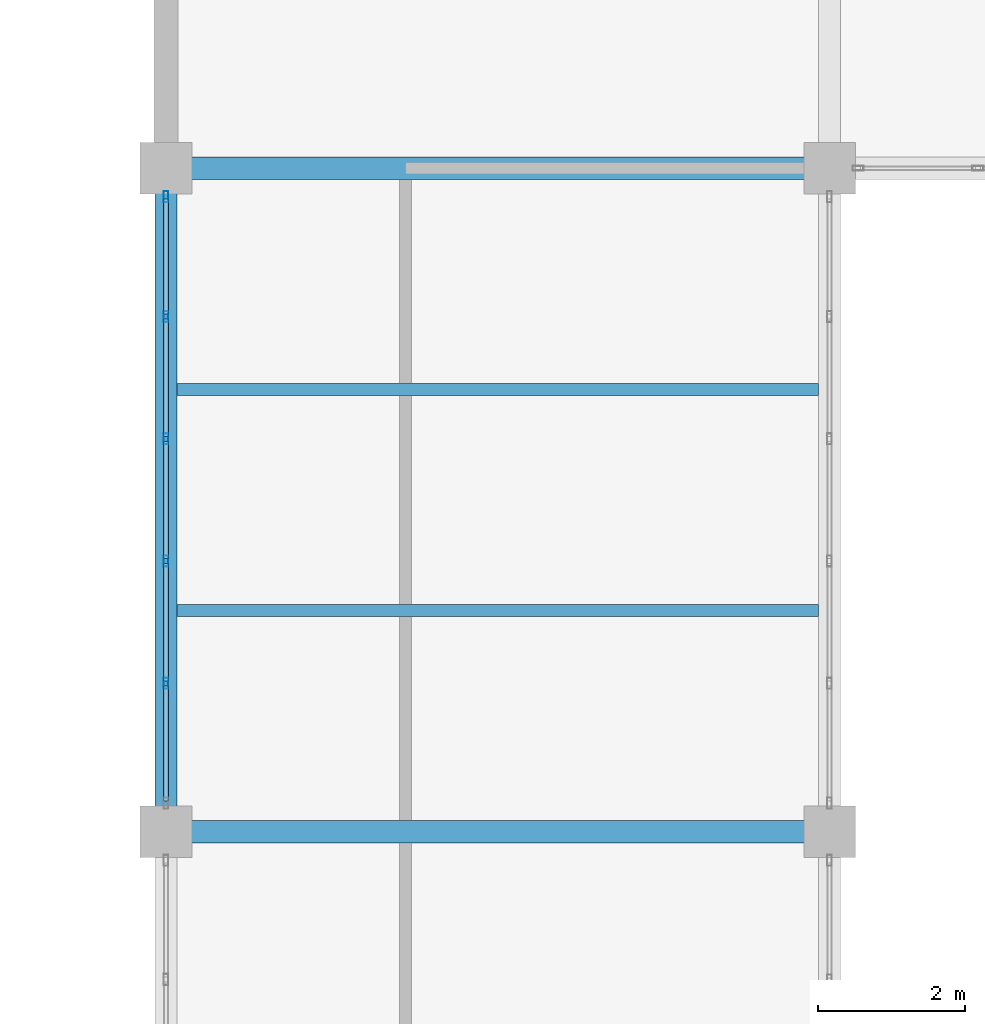
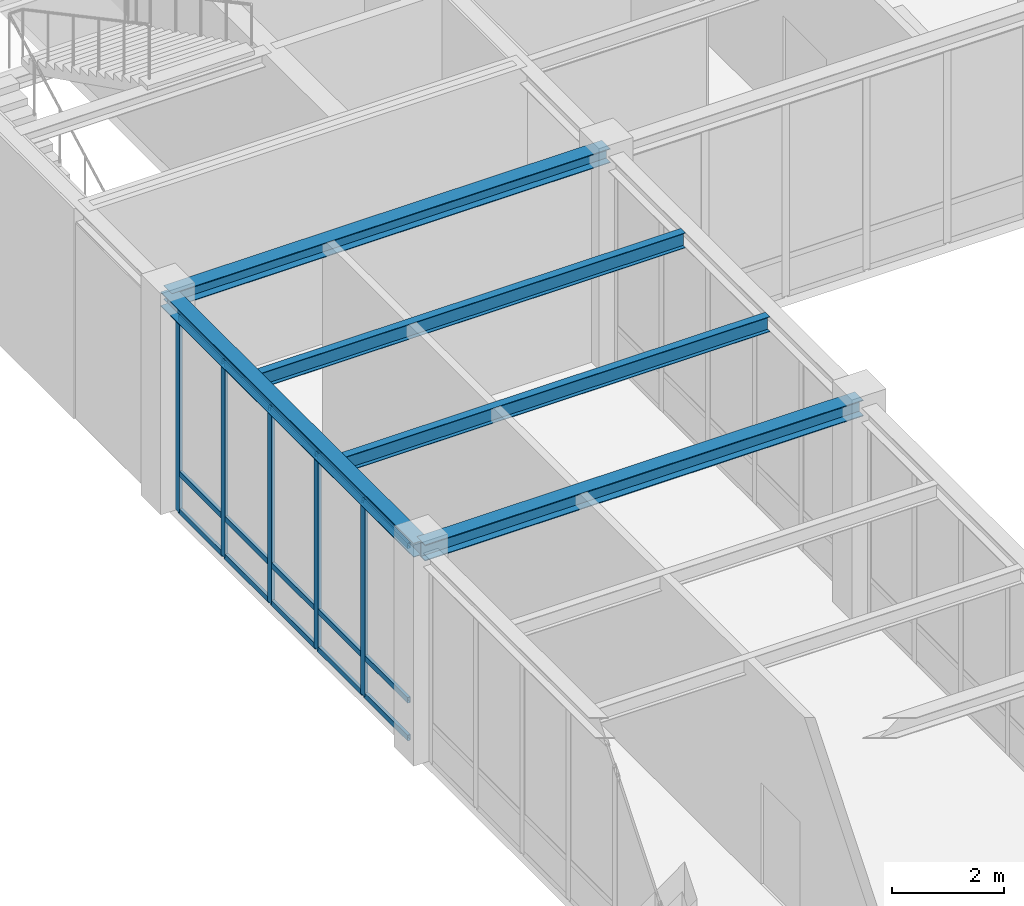
# One storey, part 22 of 98: 20 members, 5 beams, 1 element without a shape of its own.
"""IFC4 building model written with IfcOpenShell, lengths in metres."""

from ifc_helpers import new_model, si_unit, direction, frame, origin, origin_2d, place, context, subcontext, project, spatial, hollow_rectangle, i_section, extrude, material, material_profile, profile_set, type_object, element, aggregate, save


model = new_model("IFC4")

# Units and contexts
model_context = context("Model", 3, precision=1e-05, world=origin(), true_north=direction((0.0, 1.0)))
body_context = subcontext(model_context, "Body", "Model", "MODEL_VIEW")
ifc_project = project(units=[si_unit("LENGTHUNIT", "METRE"), si_unit("AREAUNIT", "SQUARE_METRE"), si_unit("VOLUMEUNIT", "CUBIC_METRE"), si_unit("PLANEANGLEUNIT", "RADIAN"), si_unit("MASSUNIT", "GRAM", prefix="KILO")], contexts=[model_context])

# Site, building, storey
site_placement = place(None, origin())
site = spatial("IfcSite", under=ifc_project, at=site_placement, CompositionType="ELEMENT")
building_placement = place(site_placement, origin())
building = spatial("IfcBuilding", under=site, at=building_placement, Name="Lykobir Media Centre", CompositionType="ELEMENT")
storey_placement = place(building_placement, frame((0.0, 0.0, 10.199951171875)))
storey = spatial("IfcBuildingStorey", under=building, at=storey_placement, Name="L02", CompositionType="ELEMENT", Elevation=10.199951171875)

# Beam
ifc_material_1 = material(Name="Steel S355", Category="steel")
ifc_material_profile_1 = material_profile(ifc_material_1, i_section(OverallWidth=0.300048828125, OverallDepth=0.35009765625, WebThickness=0.010009765625, FlangeThickness=0.017578125, at=origin_2d()), Name="HEA 360")
ifc_profile_set_1 = profile_set([ifc_material_profile_1], Name="Steel S355")
beam_type_1 = type_object("IfcBeamType", Name="BM-HEA360", PredefinedType="BEAM", material=ifc_profile_set_1)
beam_placement = place(storey_placement, frame((27.0, 54.0, 4.385009765625), z_axis=(1.0, 0.0, 0.0), x_axis=(0.0, 1.0, 0.0)))
element("IfcBeam", 1, at=beam_placement, inside=storey, type_object=beam_type_1, Name="Beam BM-L02-0270-0540-0360-0540-1458", PredefinedType="BEAM", context=body_context, shape_type="SweptSolid", body=[
    extrude(i_section(OverallWidth=0.300048828125, OverallDepth=0.35009765625, WebThickness=0.010009765625, FlangeThickness=0.017578125, at=origin_2d()), origin(), (0.0, 0.0, 1.0), 9.0),
])

# Curtain wall, members
ifc_material_2 = material(Name="Anodized Aluminium AW-6060", Category="aluminium")
curtain_wall_type = type_object("IfcCurtainWallType", Name="CW-COURT-A", PredefinedType="NOTDEFINED", material=ifc_material_2)
curtain_wall_placement = place(storey_placement, origin())
curtain_wall = element("IfcCurtainWall", 2, at=curtain_wall_placement, inside=storey, type_object=curtain_wall_type, Name="Curtain wall CW2-L02-0098", PredefinedType="NOTDEFINED")
ifc_material_profile_2 = material_profile(ifc_material_2, hollow_rectangle(XDim=0.06494140625, YDim=0.14990234375, WallThickness=0.00341796875, at=origin_2d()), Name="ALU MULLION 65x150")
ifc_profile_set_2 = profile_set([ifc_material_profile_2], Name="Anodized Aluminium AW-6060")
member_type_1 = type_object("IfcMemberType", Name="CWM-150", PredefinedType="MULLION", material=ifc_profile_set_2)
member_1_placement = place(storey_placement, frame((27.0, 56.012939453125, 0.0), z_axis=(0.0, 0.0, 1.0), x_axis=(-1.0, 0.0, 0.0)))
member_1 = element("IfcMember", 3, at=member_1_placement, type_object=member_type_1, Name="CW2-L02-0098 mullion 2", PredefinedType="MULLION", context=body_context, shape_type="SweptSolid", body=[
    extrude(hollow_rectangle(XDim=0.06494140625, YDim=0.14990234375, WallThickness=0.00341796875, at=origin_2d()), origin(), (0.0, 0.0, 1.0), 4.235107421875),
])
member_2_placement = place(storey_placement, frame((27.0, 57.6708984375, 0.0), z_axis=(0.0, 0.0, 1.0), x_axis=(-1.0, 0.0, 0.0)))
member_2 = element("IfcMember", 4, at=member_2_placement, type_object=member_type_1, Name="CW2-L02-0098 mullion 3", PredefinedType="MULLION", context=body_context, shape_type="SweptSolid", body=[
    extrude(hollow_rectangle(XDim=0.06494140625, YDim=0.14990234375, WallThickness=0.00341796875, at=origin_2d()), origin(), (0.0, 0.0, 1.0), 4.235107421875),
])
member_3_placement = place(storey_placement, frame((27.0, 59.3291015625, 0.0), z_axis=(0.0, 0.0, 1.0), x_axis=(-1.0, 0.0, 0.0)))
member_3 = element("IfcMember", 5, at=member_3_placement, type_object=member_type_1, Name="CW2-L02-0098 mullion 4", PredefinedType="MULLION", context=body_context, shape_type="SweptSolid", body=[
    extrude(hollow_rectangle(XDim=0.06494140625, YDim=0.14990234375, WallThickness=0.00341796875, at=origin_2d()), origin(), (0.0, 0.0, 1.0), 4.235107421875),
])
member_4_placement = place(storey_placement, frame((27.0, 60.987060546875, 0.0), z_axis=(0.0, 0.0, 1.0), x_axis=(-1.0, 0.0, 0.0)))
member_4 = element("IfcMember", 6, at=member_4_placement, type_object=member_type_1, Name="CW2-L02-0098 mullion 5", PredefinedType="MULLION", context=body_context, shape_type="SweptSolid", body=[
    extrude(hollow_rectangle(XDim=0.06494140625, YDim=0.14990234375, WallThickness=0.00341796875, at=origin_2d()), origin(), (0.0, 0.0, 1.0), 4.235107421875),
])
member_5_placement = place(storey_placement, frame((27.0, 62.612548828125, 0.0), z_axis=(0.0, 0.0, 1.0), x_axis=(-1.0, 0.0, 0.0)))
member_5 = element("IfcMember", 7, at=member_5_placement, type_object=member_type_1, Name="CW2-L02-0098 mullion 6", PredefinedType="MULLION", context=body_context, shape_type="SweptSolid", body=[
    extrude(hollow_rectangle(XDim=0.06494140625, YDim=0.14990234375, WallThickness=0.00341796875, at=origin_2d()), origin(), (0.0, 0.0, 1.0), 4.235107421875),
])
ifc_material_profile_3 = material_profile(ifc_material_2, hollow_rectangle(XDim=0.06494140625, YDim=0.1201171875, WallThickness=0.0029296875, at=origin_2d()), Name="ALU TRANSOM 65x120")
ifc_profile_set_3 = profile_set([ifc_material_profile_3], Name="Anodized Aluminium AW-6060")
member_type_2 = type_object("IfcMemberType", Name="CWT-120", PredefinedType="USERDEFINED", material=ifc_profile_set_3)
member_6_placement = place(storey_placement, frame((27.0, 54.419921875, 0.032470703125), z_axis=(0.0, 1.0, 0.0), x_axis=(-1.0, 0.0, 0.0)))
member_6 = element("IfcMember", 8, at=member_6_placement, type_object=member_type_2, Name="CW2-L02-0098 transom 1.1", ObjectType="TRANSOM", PredefinedType="USERDEFINED", context=body_context, shape_type="SweptSolid", body=[
    extrude(hollow_rectangle(XDim=0.06494140625, YDim=0.1201171875, WallThickness=0.0029296875, at=origin_2d()), origin(), (0.0, 0.0, 1.0), 1.560546875),
])
member_7_placement = place(storey_placement, frame((27.0, 54.419921875, 0.85009765625), z_axis=(0.0, 1.0, 0.0), x_axis=(-1.0, 0.0, 0.0)))
member_7 = element("IfcMember", 9, at=member_7_placement, type_object=member_type_2, Name="CW2-L02-0098 transom 1.2", ObjectType="TRANSOM", PredefinedType="USERDEFINED", context=body_context, shape_type="SweptSolid", body=[
    extrude(hollow_rectangle(XDim=0.06494140625, YDim=0.1201171875, WallThickness=0.0029296875, at=origin_2d()), origin(), (0.0, 0.0, 1.0), 1.560546875),
])
member_8_placement = place(storey_placement, frame((27.0, 54.419921875, 4.20263671875), z_axis=(0.0, 1.0, 0.0), x_axis=(-1.0, 0.0, 0.0)))
member_8 = element("IfcMember", 10, at=member_8_placement, type_object=member_type_2, Name="CW2-L02-0098 transom 1.3", ObjectType="TRANSOM", PredefinedType="USERDEFINED", context=body_context, shape_type="SweptSolid", body=[
    extrude(hollow_rectangle(XDim=0.06494140625, YDim=0.1201171875, WallThickness=0.0029296875, at=origin_2d()), origin(), (0.0, 0.0, 1.0), 1.560546875),
])
member_9_placement = place(storey_placement, frame((27.0, 56.04541015625, 0.032470703125), z_axis=(0.0, 1.0, 0.0), x_axis=(-1.0, 0.0, 0.0)))
member_9 = element("IfcMember", 11, at=member_9_placement, type_object=member_type_2, Name="CW2-L02-0098 transom 2.1", ObjectType="TRANSOM", PredefinedType="USERDEFINED", context=body_context, shape_type="SweptSolid", body=[
    extrude(hollow_rectangle(XDim=0.06494140625, YDim=0.1201171875, WallThickness=0.0029296875, at=origin_2d()), origin(), (0.0, 0.0, 1.0), 1.593017578125),
])
member_10_placement = place(storey_placement, frame((27.0, 56.04541015625, 0.85009765625), z_axis=(0.0, 1.0, 0.0), x_axis=(-1.0, 0.0, 0.0)))
member_10 = element("IfcMember", 12, at=member_10_placement, type_object=member_type_2, Name="CW2-L02-0098 transom 2.2", ObjectType="TRANSOM", PredefinedType="USERDEFINED", context=body_context, shape_type="SweptSolid", body=[
    extrude(hollow_rectangle(XDim=0.06494140625, YDim=0.1201171875, WallThickness=0.0029296875, at=origin_2d()), origin(), (0.0, 0.0, 1.0), 1.593017578125),
])
member_11_placement = place(storey_placement, frame((27.0, 56.04541015625, 4.20263671875), z_axis=(0.0, 1.0, 0.0), x_axis=(-1.0, 0.0, 0.0)))
member_11 = element("IfcMember", 13, at=member_11_placement, type_object=member_type_2, Name="CW2-L02-0098 transom 2.3", ObjectType="TRANSOM", PredefinedType="USERDEFINED", context=body_context, shape_type="SweptSolid", body=[
    extrude(hollow_rectangle(XDim=0.06494140625, YDim=0.1201171875, WallThickness=0.0029296875, at=origin_2d()), origin(), (0.0, 0.0, 1.0), 1.593017578125),
])
member_12_placement = place(storey_placement, frame((27.0, 57.70361328125, 0.032470703125), z_axis=(0.0, 1.0, 0.0), x_axis=(-1.0, 0.0, 0.0)))
member_12 = element("IfcMember", 14, at=member_12_placement, type_object=member_type_2, Name="CW2-L02-0098 transom 3.1", ObjectType="TRANSOM", PredefinedType="USERDEFINED", context=body_context, shape_type="SweptSolid", body=[
    extrude(hollow_rectangle(XDim=0.06494140625, YDim=0.1201171875, WallThickness=0.0029296875, at=origin_2d()), origin(), (0.0, 0.0, 1.0), 1.5927734375),
])
member_13_placement = place(storey_placement, frame((27.0, 57.70361328125, 0.85009765625), z_axis=(0.0, 1.0, 0.0), x_axis=(-1.0, 0.0, 0.0)))
member_13 = element("IfcMember", 15, at=member_13_placement, type_object=member_type_2, Name="CW2-L02-0098 transom 3.2", ObjectType="TRANSOM", PredefinedType="USERDEFINED", context=body_context, shape_type="SweptSolid", body=[
    extrude(hollow_rectangle(XDim=0.06494140625, YDim=0.1201171875, WallThickness=0.0029296875, at=origin_2d()), origin(), (0.0, 0.0, 1.0), 1.5927734375),
])
member_14_placement = place(storey_placement, frame((27.0, 57.70361328125, 4.20263671875), z_axis=(0.0, 1.0, 0.0), x_axis=(-1.0, 0.0, 0.0)))
member_14 = element("IfcMember", 16, at=member_14_placement, type_object=member_type_2, Name="CW2-L02-0098 transom 3.3", ObjectType="TRANSOM", PredefinedType="USERDEFINED", context=body_context, shape_type="SweptSolid", body=[
    extrude(hollow_rectangle(XDim=0.06494140625, YDim=0.1201171875, WallThickness=0.0029296875, at=origin_2d()), origin(), (0.0, 0.0, 1.0), 1.5927734375),
])
member_15_placement = place(storey_placement, frame((27.0, 59.361572265625, 0.032470703125), z_axis=(0.0, 1.0, 0.0), x_axis=(-1.0, 0.0, 0.0)))
member_15 = element("IfcMember", 17, at=member_15_placement, type_object=member_type_2, Name="CW2-L02-0098 transom 4.1", ObjectType="TRANSOM", PredefinedType="USERDEFINED", context=body_context, shape_type="SweptSolid", body=[
    extrude(hollow_rectangle(XDim=0.06494140625, YDim=0.1201171875, WallThickness=0.0029296875, at=origin_2d()), origin(), (0.0, 0.0, 1.0), 1.593017578125),
])
member_16_placement = place(storey_placement, frame((27.0, 59.361572265625, 0.85009765625), z_axis=(0.0, 1.0, 0.0), x_axis=(-1.0, 0.0, 0.0)))
member_16 = element("IfcMember", 18, at=member_16_placement, type_object=member_type_2, Name="CW2-L02-0098 transom 4.2", ObjectType="TRANSOM", PredefinedType="USERDEFINED", context=body_context, shape_type="SweptSolid", body=[
    extrude(hollow_rectangle(XDim=0.06494140625, YDim=0.1201171875, WallThickness=0.0029296875, at=origin_2d()), origin(), (0.0, 0.0, 1.0), 1.593017578125),
])
member_17_placement = place(storey_placement, frame((27.0, 59.361572265625, 4.20263671875), z_axis=(0.0, 1.0, 0.0), x_axis=(-1.0, 0.0, 0.0)))
member_17 = element("IfcMember", 19, at=member_17_placement, type_object=member_type_2, Name="CW2-L02-0098 transom 4.3", ObjectType="TRANSOM", PredefinedType="USERDEFINED", context=body_context, shape_type="SweptSolid", body=[
    extrude(hollow_rectangle(XDim=0.06494140625, YDim=0.1201171875, WallThickness=0.0029296875, at=origin_2d()), origin(), (0.0, 0.0, 1.0), 1.593017578125),
])
member_18_placement = place(storey_placement, frame((27.0, 61.01953125, 0.032470703125), z_axis=(0.0, 1.0, 0.0), x_axis=(-1.0, 0.0, 0.0)))
member_18 = element("IfcMember", 20, at=member_18_placement, type_object=member_type_2, Name="CW2-L02-0098 transom 5.1", ObjectType="TRANSOM", PredefinedType="USERDEFINED", context=body_context, shape_type="SweptSolid", body=[
    extrude(hollow_rectangle(XDim=0.06494140625, YDim=0.1201171875, WallThickness=0.0029296875, at=origin_2d()), origin(), (0.0, 0.0, 1.0), 1.560546875),
])
member_19_placement = place(storey_placement, frame((27.0, 61.01953125, 0.85009765625), z_axis=(0.0, 1.0, 0.0), x_axis=(-1.0, 0.0, 0.0)))
member_19 = element("IfcMember", 21, at=member_19_placement, type_object=member_type_2, Name="CW2-L02-0098 transom 5.2", ObjectType="TRANSOM", PredefinedType="USERDEFINED", context=body_context, shape_type="SweptSolid", body=[
    extrude(hollow_rectangle(XDim=0.06494140625, YDim=0.1201171875, WallThickness=0.0029296875, at=origin_2d()), origin(), (0.0, 0.0, 1.0), 1.560546875),
])
member_20_placement = place(storey_placement, frame((27.0, 61.01953125, 4.20263671875), z_axis=(0.0, 1.0, 0.0), x_axis=(-1.0, 0.0, 0.0)))
member_20 = element("IfcMember", 22, at=member_20_placement, type_object=member_type_2, Name="CW2-L02-0098 transom 5.3", ObjectType="TRANSOM", PredefinedType="USERDEFINED", context=body_context, shape_type="SweptSolid", body=[
    extrude(hollow_rectangle(XDim=0.06494140625, YDim=0.1201171875, WallThickness=0.0029296875, at=origin_2d()), origin(), (0.0, 0.0, 1.0), 1.560546875),
])
aggregate(curtain_wall, [member_1, member_2, member_3, member_4, member_5, member_6, member_7, member_8, member_9, member_10, member_11, member_12, member_13, member_14, member_15, member_16, member_17, member_18, member_19, member_20])

# Beams
ifc_material_profile_4 = material_profile(ifc_material_1, i_section(OverallWidth=0.159912109375, OverallDepth=0.330078125, WebThickness=0.007568359375, FlangeThickness=0.011474609375, at=origin_2d()), Name="IPE 330")
ifc_profile_set_4 = profile_set([ifc_material_profile_4], Name="Steel S355")
beam_type_2 = type_object("IfcBeamType", Name="JS-IPE330", PredefinedType="JOIST", material=ifc_profile_set_4)
for number, where, z_axis, x_axis, name in (
    (23, (27.14990234375, 57.0, 4.39501953125), (1.0, 0.0, 0.0), (0.0, 1.0, 0.0), "Beam BM-L02-0272-0570-0358-0570-1460"),
    (24, (27.14990234375, 60.0, 4.39501953125), (1.0, 0.0, 0.0), (0.0, 1.0, 0.0), "Beam BM-L02-0272-0600-0358-0600-1460"),
):
    element("IfcBeam", number, at=place(storey_placement, frame(where, z_axis=z_axis, x_axis=x_axis)), inside=storey, type_object=beam_type_2, Name=name, PredefinedType="JOIST", context=body_context, shape_type="SweptSolid", body=[
        extrude(i_section(OverallWidth=0.159912109375, OverallDepth=0.330078125, WebThickness=0.007568359375, FlangeThickness=0.011474609375, at=origin_2d()), origin(), (0.0, 0.0, 1.0), 8.7001953125),
    ])
ifc_material_profile_5 = material_profile(ifc_material_1, i_section(OverallWidth=0.300048828125, OverallDepth=0.31005859375, WebThickness=0.009033203125, FlangeThickness=0.015380859375, at=origin_2d()), Name="HEA 320")
ifc_profile_set_5 = profile_set([ifc_material_profile_5], Name="Steel S355")
beam_type_3 = type_object("IfcBeamType", Name="SP-HEA320", PredefinedType="SPANDREL", material=ifc_profile_set_5)
for number, where, z_axis, x_axis, name in (
    (25, (27.0, 63.0, 4.405029296875), (1.0, 0.0, 0.0), (0.0, 1.0, 0.0), "Beam BM-L02-0270-0630-0360-0630-1460"),
    (26, (27.0, 54.0, 4.405029296875), (0.0, 1.0, 0.0), (-1.0, 0.0, 0.0), "Beam BM-L02-0270-0540-0270-0630-1460"),
):
    element("IfcBeam", number, at=place(storey_placement, frame(where, z_axis=z_axis, x_axis=x_axis)), inside=storey, type_object=beam_type_3, Name=name, PredefinedType="SPANDREL", context=body_context, shape_type="SweptSolid", body=[
        extrude(i_section(OverallWidth=0.300048828125, OverallDepth=0.31005859375, WebThickness=0.009033203125, FlangeThickness=0.015380859375, at=origin_2d()), origin(), (0.0, 0.0, 1.0), 9.0),
    ])

save(model, "model.ifc")
